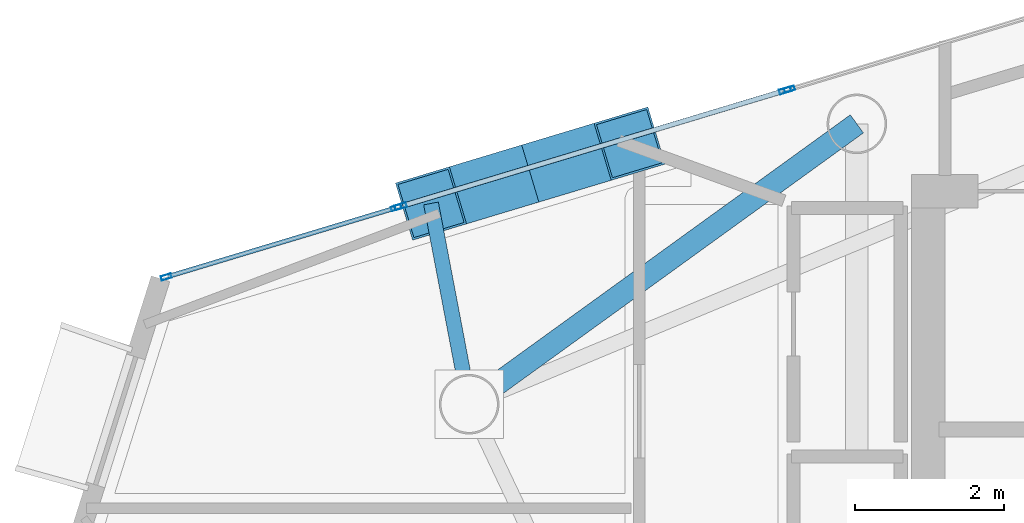
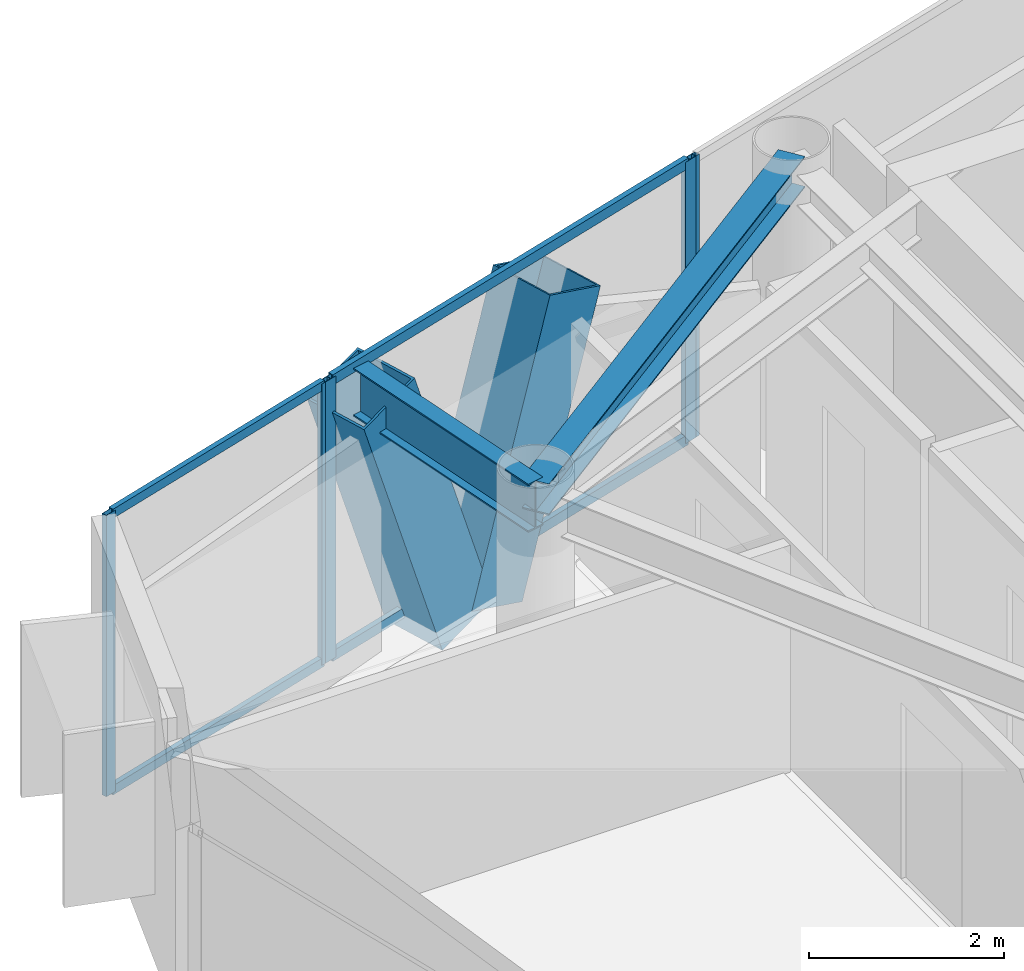
# One storey, part 8 of 19: 11 members, 2 beams, 3 elements without a shape of their own.
"""IFC4 building model written with IfcOpenShell, lengths in metres."""

from ifc_helpers import new_model, si_unit, direction, frame, origin, origin_2d, place, context, subcontext, project, spatial, hollow_rectangle, i_section, extrude, material, layer, layer_set, material_profile, profile_set, type_object, element, aggregate, save


model = new_model("IFC4")

# Units and contexts
model_context = context("Model", 3, precision=1e-05, world=origin(), true_north=direction((0.0, 1.0)))
body_context = subcontext(model_context, "Body", "Model", "MODEL_VIEW")
ifc_project = project(units=[si_unit("LENGTHUNIT", "METRE"), si_unit("AREAUNIT", "SQUARE_METRE"), si_unit("VOLUMEUNIT", "CUBIC_METRE"), si_unit("PLANEANGLEUNIT", "RADIAN"), si_unit("MASSUNIT", "GRAM", prefix="KILO")], contexts=[model_context])

# Site, building, storey
site_placement = place(None, origin())
site = spatial("IfcSite", under=ifc_project, at=site_placement, CompositionType="ELEMENT")
building_placement = place(site_placement, origin())
building = spatial("IfcBuilding", under=site, at=building_placement, Name="Qianvela Tower", CompositionType="ELEMENT")
storey_placement = place(building_placement, frame((0.0, 0.0, 325.89990234375)))
storey = spatial("IfcBuildingStorey", under=building, at=storey_placement, Name="L84", CompositionType="ELEMENT", Elevation=325.89990234375)

# Beams
ifc_material_1 = material(Name="Steel Q355B", Category="steel")
ifc_material_profile_1 = material_profile(ifc_material_1, i_section(OverallWidth=0.300048828125, OverallDepth=0.389892578125, WebThickness=0.010009765625, FlangeThickness=0.01611328125, at=origin_2d()), Name="HM390x300x10x16")
ifc_profile_set_1 = profile_set([ifc_material_profile_1], Name="Steel Q355B")
beam_type_1 = type_object("IfcBeamType", Name="BM-HM390-COLL", PredefinedType="BEAM", material=ifc_profile_set_1)
beam_1_placement = place(storey_placement, frame((28.60009765625, 33.550048828125, 3.322998046875), z_axis=(-0.810287827692, -0.586032112, 0.0), x_axis=(0.586032112, -0.810287827692, 0.0)))
element("IfcBeam", 1, at=beam_1_placement, inside=storey, type_object=beam_type_1, Name="L84 Radial Primary Floor Girder 3", PredefinedType="BEAM", context=body_context, shape_type="SweptSolid", body=[
    extrude(i_section(OverallWidth=0.300048828125, OverallDepth=0.389892578125, WebThickness=0.010009765625, FlangeThickness=0.01611328125, at=origin_2d()), origin(), (0.0, 0.0, 1.0), 6.417724609375),
])
ifc_material_2 = material(Name="Steel Q355B", Category="steel")
ifc_material_profile_2 = material_profile(ifc_material_2, i_section(OverallWidth=0.199951171875, OverallDepth=0.60009765625, WebThickness=0.010986328125, FlangeThickness=0.01708984375, at=origin_2d()), Name="HN600x200x11x17")
ifc_profile_set_2 = profile_set([ifc_material_profile_2], Name="Steel Q355B")
beam_type_2 = type_object("IfcBeamType", Name="BM-HN600-GIRD", PredefinedType="BEAM", material=ifc_profile_set_2)
beam_2_placement = place(storey_placement, frame((23.39990234375, 29.7890625, 3.218017578125), z_axis=(-0.186911600015, 0.982376737194, 0.0), x_axis=(-0.982376737194, -0.186911600015, 0.0)))
element("IfcBeam", 2, at=beam_2_placement, inside=storey, type_object=beam_type_2, Name="L84 Mega-Brace Column Tie Bracket F1-2", PredefinedType="BEAM", context=body_context, shape_type="SweptSolid", body=[
    extrude(i_section(OverallWidth=0.199951171875, OverallDepth=0.60009765625, WebThickness=0.010986328125, FlangeThickness=0.01708984375, at=origin_2d()), origin(), (0.0, 0.0, 1.0), 2.74169921875),
])

# Curtain wall, members
ifc_material_3 = material(Name="Anodised Architectural Aluminium and Insulated Spandrel Panel", Category="aluminium")
ifc_layer_1 = layer(ifc_material_3, 0.179931640625)
ifc_layer_set_1 = layer_set([ifc_layer_1], Name="Anodised Architectural Aluminium and Insulated Spandrel Panel")
curtain_wall_type_1 = type_object("IfcCurtainWallType", Name="CW-BRACEBAY", PredefinedType="USERDEFINED", material=ifc_layer_set_1)
curtain_wall_1_placement = place(storey_placement, origin())
curtain_wall_1 = element("IfcCurtainWall", 3, at=curtain_wall_1_placement, inside=storey, type_object=curtain_wall_type_1, Name="L84 CW-BRACEBAY Curtain Wall 02B", ObjectType="CURTAIN_WALL_SYSTEM", PredefinedType="USERDEFINED")
ifc_material_4 = material(Name="Anodised Architectural Aluminium 6063-T6", Category="aluminium")
ifc_material_profile_3 = material_profile(ifc_material_4, hollow_rectangle(XDim=0.06494140625, YDim=0.159912109375, WallThickness=0.0048828125, at=origin_2d()), Name="ALU-MULL-65x160")
ifc_profile_set_3 = profile_set([ifc_material_profile_3], Name="Anodised Architectural Aluminium 6063-T6")
member_type_1 = type_object("IfcMemberType", Name="CW-BRACEBAY-MULL", PredefinedType="MULLION", material=ifc_profile_set_3)
member_1_placement = place(storey_placement, frame((27.637451171875, 33.9970703125, 0.0), z_axis=(0.0, 0.0, 1.0), x_axis=(0.288477220921, -0.95748675866, 0.0)))
member_1 = element("IfcMember", 4, at=member_1_placement, type_object=member_type_1, Name="CW-9 mullion 1", PredefinedType="MULLION", context=body_context, shape_type="SweptSolid", body=[
    extrude(hollow_rectangle(XDim=0.06494140625, YDim=0.159912109375, WallThickness=0.0048828125, at=origin_2d()), origin(), (0.0, 0.0, 1.0), 3.52001953125),
])
member_2_placement = place(storey_placement, frame((22.481201171875, 32.443603515625, 0.0), z_axis=(0.0, 0.0, 1.0), x_axis=(0.288477220921, -0.95748675866, 0.0)))
member_2 = element("IfcMember", 5, at=member_2_placement, type_object=member_type_1, Name="CW-9 mullion 2", PredefinedType="MULLION", context=body_context, shape_type="SweptSolid", body=[
    extrude(hollow_rectangle(XDim=0.06494140625, YDim=0.159912109375, WallThickness=0.0048828125, at=origin_2d()), origin(), (0.0, 0.0, 1.0), 3.52001953125),
])
ifc_material_5 = material(Name="Anodised Architectural Aluminium 6063-T6", Category="aluminium")
ifc_material_profile_4 = material_profile(ifc_material_5, hollow_rectangle(XDim=0.06494140625, YDim=0.1298828125, WallThickness=0.00439453125, at=origin_2d()), Name="ALU-TRAN-65x130")
ifc_profile_set_4 = profile_set([ifc_material_profile_4], Name="Anodised Architectural Aluminium 6063-T6")
member_type_2 = type_object("IfcMemberType", Name="CW-BRACEBAY-TRAN", PredefinedType="USERDEFINED", material=ifc_profile_set_4)
member_3_placement = place(storey_placement, frame((27.606201171875, 33.987548828125, 0.03271484375), z_axis=(-0.95748711574, -0.288476035733, 0.0), x_axis=(0.288476035733, -0.95748711574, 0.0)))
member_3 = element("IfcMember", 6, at=member_3_placement, type_object=member_type_2, Name="CW-9 transom 1.1", ObjectType="TRANSOM", PredefinedType="USERDEFINED", context=body_context, shape_type="SweptSolid", body=[
    extrude(hollow_rectangle(XDim=0.06494140625, YDim=0.1298828125, WallThickness=0.00439453125, at=origin_2d()), origin(), (0.0, 0.0, 1.0), 5.31982421875),
])
member_4_placement = place(storey_placement, frame((27.606201171875, 33.987548828125, 3.487548828125), z_axis=(-0.95748711574, -0.288476035733, 0.0), x_axis=(0.288476035733, -0.95748711574, 0.0)))
member_4 = element("IfcMember", 7, at=member_4_placement, type_object=member_type_2, Name="CW-9 transom 1.2", ObjectType="TRANSOM", PredefinedType="USERDEFINED", context=body_context, shape_type="SweptSolid", body=[
    extrude(hollow_rectangle(XDim=0.06494140625, YDim=0.1298828125, WallThickness=0.00439453125, at=origin_2d()), origin(), (0.0, 0.0, 1.0), 5.31982421875),
])
aggregate(curtain_wall_1, [member_1, member_2, member_3, member_4])

# Curtain wall, member
ifc_material_6 = material(Name="Anodised Architectural Aluminium and Low-E Glass", Category="aluminium")
ifc_layer_2 = layer(ifc_material_6, 0.14990234375)
ifc_layer_set_2 = layer_set([ifc_layer_2], Name="Anodised Architectural Aluminium and Low-E Glass")
curtain_wall_type_2 = type_object("IfcCurtainWallType", Name="CW-COLIV-Z78", PredefinedType="USERDEFINED", material=ifc_layer_set_2)
curtain_wall_2_placement = place(storey_placement, origin())
curtain_wall_2 = element("IfcCurtainWall", 8, at=curtain_wall_2_placement, inside=storey, type_object=curtain_wall_type_2, Name="L84 CW-COLIV-Z78 Curtain Wall 02A", ObjectType="CURTAIN_WALL_SYSTEM", PredefinedType="USERDEFINED")
ifc_material_7 = material(Name="Anodised Architectural Aluminium 6063-T6", Category="aluminium")
ifc_material_profile_5 = material_profile(ifc_material_7, hollow_rectangle(XDim=0.06005859375, YDim=0.139892578125, WallThickness=0.00439453125, at=origin_2d()), Name="ALU-MULL-60x140")
ifc_profile_set_5 = profile_set([ifc_material_profile_5], Name="Anodised Architectural Aluminium 6063-T6")
member_type_3 = type_object("IfcMemberType", Name="CW-COLIV-Z78-MULL", PredefinedType="MULLION", material=ifc_profile_set_5)
member_5_placement = place(storey_placement, frame((27.697265625, 34.01513671875, 0.0), z_axis=(0.0, 0.0, 1.0), x_axis=(0.288480373472, -0.957485808835, 0.0)))
member_5 = element("IfcMember", 9, at=member_5_placement, type_object=member_type_3, Name="CW-6 mullion 4", PredefinedType="MULLION", context=body_context, shape_type="SweptSolid", body=[
    extrude(hollow_rectangle(XDim=0.06005859375, YDim=0.139892578125, WallThickness=0.00439453125, at=origin_2d()), origin(), (0.0, 0.0, 1.0), 3.52001953125),
])
aggregate(curtain_wall_2, [member_5])

# Curtain wall, members
curtain_wall_3_placement = place(storey_placement, origin())
curtain_wall_3 = element("IfcCurtainWall", 10, at=curtain_wall_3_placement, inside=storey, type_object=curtain_wall_type_2, Name="L84 CW-COLIV-Z78 Curtain Wall 02C", ObjectType="CURTAIN_WALL_SYSTEM", PredefinedType="USERDEFINED")
member_6_placement = place(storey_placement, frame((22.42138671875, 32.425537109375, 0.0), z_axis=(0.0, 0.0, 1.0), x_axis=(0.288490524288, -0.957482750443, 0.0)))
member_6 = element("IfcMember", 11, at=member_6_placement, type_object=member_type_3, Name="CW-6 mullion 1", PredefinedType="MULLION", context=body_context, shape_type="SweptSolid", body=[
    extrude(hollow_rectangle(XDim=0.06005859375, YDim=0.139892578125, WallThickness=0.00439453125, at=origin_2d()), origin(), (0.0, 0.0, 1.0), 3.52001953125),
])
member_7_placement = place(storey_placement, frame((19.335205078125, 31.49560546875, 0.0), z_axis=(0.0, 0.0, 1.0), x_axis=(0.288490524288, -0.957482750443, 0.0)))
member_7 = element("IfcMember", 12, at=member_7_placement, type_object=member_type_3, Name="CW-6 mullion 2", PredefinedType="MULLION", context=body_context, shape_type="SweptSolid", body=[
    extrude(hollow_rectangle(XDim=0.06005859375, YDim=0.139892578125, WallThickness=0.00439453125, at=origin_2d()), origin(), (0.0, 0.0, 1.0), 3.52001953125),
])
ifc_material_8 = material(Name="Anodised Architectural Aluminium 6063-T6", Category="aluminium")
ifc_material_profile_6 = material_profile(ifc_material_8, hollow_rectangle(XDim=0.06005859375, YDim=0.114990234375, WallThickness=0.00390625, at=origin_2d()), Name="ALU-TRAN-60x115")
ifc_profile_set_6 = profile_set([ifc_material_profile_6], Name="Anodised Architectural Aluminium 6063-T6")
member_type_4 = type_object("IfcMemberType", Name="CW-COLIV-Z78-TRAN", PredefinedType="USERDEFINED", material=ifc_profile_set_6)
member_8_placement = place(storey_placement, frame((22.392822265625, 32.4169921875, 0.030029296875), z_axis=(-0.957481479596, -0.288494742119, 0.0), x_axis=(0.288494742119, -0.957481479596, 0.0)))
member_8 = element("IfcMember", 13, at=member_8_placement, type_object=member_type_4, Name="CW-6 transom 1.1", ObjectType="TRANSOM", PredefinedType="USERDEFINED", context=body_context, shape_type="SweptSolid", body=[
    extrude(hollow_rectangle(XDim=0.06005859375, YDim=0.114990234375, WallThickness=0.00390625, at=origin_2d()), origin(), (0.0, 0.0, 1.0), 3.163330078125),
])
member_9_placement = place(storey_placement, frame((22.392822265625, 32.4169921875, 3.489990234375), z_axis=(-0.957481479596, -0.288494742119, 0.0), x_axis=(0.288494742119, -0.957481479596, 0.0)))
member_9 = element("IfcMember", 14, at=member_9_placement, type_object=member_type_4, Name="CW-6 transom 1.2", ObjectType="TRANSOM", PredefinedType="USERDEFINED", context=body_context, shape_type="SweptSolid", body=[
    extrude(hollow_rectangle(XDim=0.06005859375, YDim=0.114990234375, WallThickness=0.00390625, at=origin_2d()), origin(), (0.0, 0.0, 1.0), 3.163330078125),
])
aggregate(curtain_wall_3, [member_6, member_7, member_8, member_9])

# Members
ifc_material_9 = material(Name="Steel Q420GJC", Category="steel")
ifc_material_profile_7 = material_profile(ifc_material_9, hollow_rectangle(XDim=0.800048828125, YDim=0.800048828125, WallThickness=0.028076171875, at=origin_2d()), Name="MBOX-800x800x28")
ifc_profile_set_7 = profile_set([ifc_material_profile_7], Name="Steel Q420GJC")
member_type_5 = type_object("IfcMemberType", Name="MBR-MBRACE-800", PredefinedType="BRACE", material=ifc_profile_set_7)
for number, where, z_axis, x_axis, name in (
    (15, (24.429931640625, 32.947021484375, -0.139892578125), (0.315250185783, 0.095014428816, 0.944240212383), (-0.288571904566, 0.95745822671, 0.0), "L84 Tier 14 Exterior Mega-Brace F1A"),
    (16, (24.008544921875, 32.8203125, -0.139892578125), (-0.315250185783, -0.095014428816, 0.944240212383), (0.288571904566, -0.95745822671, 0.0), "L84 Tier 14 Exterior Mega-Brace F1B"),
):
    element("IfcMember", number, at=place(storey_placement, frame(where, z_axis=z_axis, x_axis=x_axis)), inside=storey, type_object=member_type_5, Name=name, PredefinedType="BRACE", context=body_context, shape_type="SweptSolid", body=[
        extrude(hollow_rectangle(XDim=0.800048828125, YDim=0.800048828125, WallThickness=0.028076171875, at=origin_2d()), origin(), (0.0, 0.0, 1.0), 3.55615234375),
    ])

save(model, "model.ifc")
